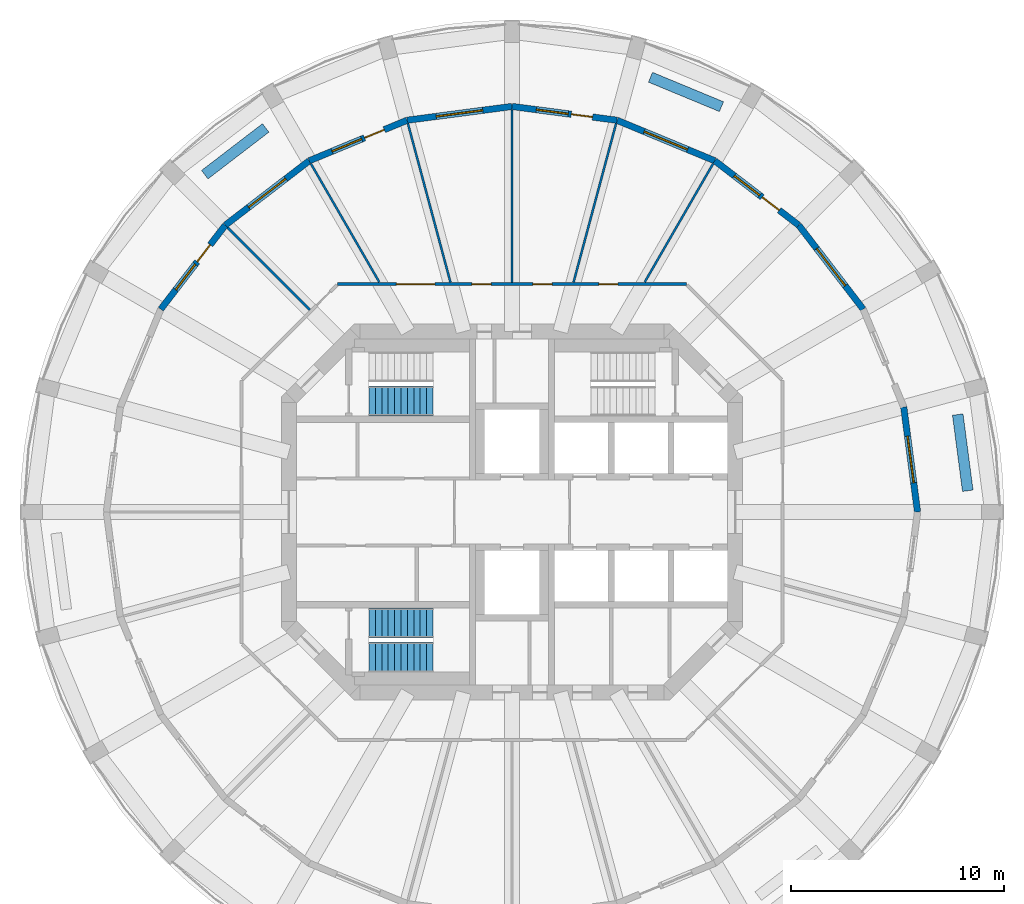
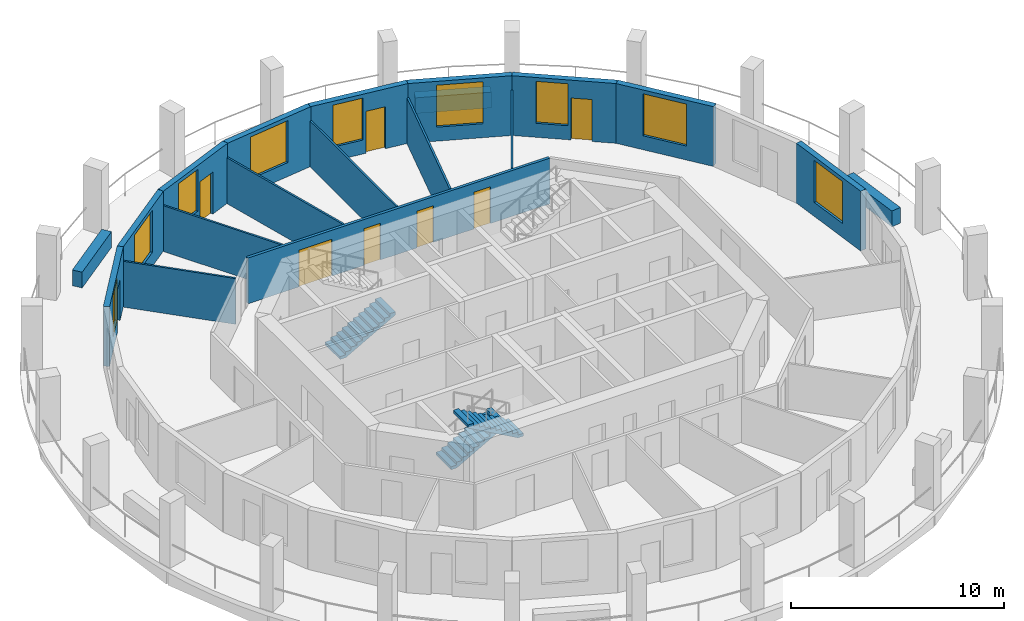
# One storey, part 6 of 9: 19 walls, 9 windows, 8 doors, 3 stair flights, 17 openings, 2 elements without a shape of their own.
"""IFC4 building model written with IfcOpenShell, lengths in metres."""

from ifc_helpers import new_model, si_unit, direction, frame, frame_2d, origin, place, context, subcontext, project, spatial, polyline, rectangle, outline, extrude, material, layer, layer_set, type_object, element, fill, aggregate, save


model = new_model("IFC4")

# Units and contexts
model_context = context("Model", 3, precision=1e-05, world=origin(), true_north=direction((0.0, 1.0)))
body_context = subcontext(model_context, "Body", "Model", "MODEL_VIEW")
ifc_project = project(units=[si_unit("LENGTHUNIT", "METRE"), si_unit("AREAUNIT", "SQUARE_METRE"), si_unit("VOLUMEUNIT", "CUBIC_METRE"), si_unit("PLANEANGLEUNIT", "RADIAN"), si_unit("MASSUNIT", "GRAM", prefix="KILO")], contexts=[model_context])

# Site, building, storey
site_placement = place(None, origin())
site = spatial("IfcSite", under=ifc_project, at=site_placement, CompositionType="ELEMENT")
building_placement = place(site_placement, origin())
building = spatial("IfcBuilding", under=site, at=building_placement, Name="Torre Triforio", CompositionType="ELEMENT")
storey_placement = place(building_placement, frame((0.0, 0.0, 176.39990234375)))
storey = spatial("IfcBuildingStorey", under=building, at=storey_placement, Name="L40", CompositionType="ELEMENT", Elevation=176.39990234375)

# Wall, openings, doors
ifc_material_1 = material(Name="Plasterboard on metal studs")
ifc_layer_1 = layer(ifc_material_1, 0.14990234375)
ifc_layer_set_1 = layer_set([ifc_layer_1], Name="Plasterboard on metal studs")
wall_type_1 = type_object("IfcWallType", Name="Corridor and tenancy wall 150 mm EI 60", PredefinedType="PARTITIONING", material=ifc_layer_set_1)
wall_1_placement = place(storey_placement, frame((-8.16650390625, 10.675048828125, 0.0), z_axis=(0.0, 0.0, 1.0), x_axis=(1.0, 0.0, 0.0)))
wall_1 = element("IfcWall", 1, at=wall_1_placement, inside=storey, type_object=wall_type_1, Name="Partition 6", PredefinedType="PARTITIONING", context=body_context, shape_type="SweptSolid", body=[
    extrude(rectangle(XDim=16.3330078125, YDim=0.14990234375, at=frame_2d((8.16650390625, 0.0))), origin(), (0.0, 0.0, 1.0), 2.6201171875),
])
opening_1_placement = place(wall_1_placement, frame((12.232421875, 0.0, 0.0)))
opening_1 = element("IfcOpeningElement", 2, at=opening_1_placement, cuts=wall_1, Name="Opening O3-11", PredefinedType="OPENING", context=body_context, shape_type="SweptSolid", body=[
    extrude(rectangle(XDim=0.89990234375, YDim=2.10009765625, at=frame_2d((0.449951171875, 1.050048828125))), frame((0.0, 0.0849609375, 0.0), z_axis=(0.0, -1.0, 0.0), x_axis=(1.0, 0.0, 0.0)), (0.0, 0.0, 1.0), 0.169921875),
])
opening_2_placement = place(wall_1_placement, frame((9.147705078125, 0.0, 0.0)))
opening_2 = element("IfcOpeningElement", 3, at=opening_2_placement, cuts=wall_1, Name="Opening O3-12", PredefinedType="OPENING", context=body_context, shape_type="SweptSolid", body=[
    extrude(rectangle(XDim=0.89990234375, YDim=2.10009765625, at=frame_2d((0.449951171875, 1.050048828125))), frame((0.0, 0.0849609375, 0.0), z_axis=(0.0, -1.0, 0.0), x_axis=(1.0, 0.0, 0.0)), (0.0, 0.0, 1.0), 0.169921875),
])
opening_3_placement = place(wall_1_placement, frame((6.285400390625, 0.0, 0.0)))
opening_3 = element("IfcOpeningElement", 4, at=opening_3_placement, cuts=wall_1, Name="Opening O3-13", PredefinedType="OPENING", context=body_context, shape_type="SweptSolid", body=[
    extrude(rectangle(XDim=0.89990234375, YDim=2.10009765625, at=frame_2d((0.449951171875, 1.050048828125))), frame((0.0, 0.0849609375, 0.0), z_axis=(0.0, -1.0, 0.0), x_axis=(1.0, 0.0, 0.0)), (0.0, 0.0, 1.0), 0.169921875),
])
opening_4_placement = place(wall_1_placement, frame((2.7509765625, 0.0, 0.0)))
opening_4 = element("IfcOpeningElement", 5, at=opening_4_placement, cuts=wall_1, Name="Opening O3-14", PredefinedType="OPENING", context=body_context, shape_type="SweptSolid", body=[
    extrude(rectangle(XDim=1.800048828125, YDim=2.10009765625, at=frame_2d((0.89990234375, 1.050048828125))), frame((0.0, 0.0849609375, 0.0), z_axis=(0.0, -1.0, 0.0), x_axis=(1.0, 0.0, 0.0)), (0.0, 0.0, 1.0), 0.169921875),
])
ifc_material_2 = material(Name="Timber", Category="wood")
door_type_1 = type_object("IfcDoorType", Name="Door 1800 x 2100 double leaf EI 30", OperationType="DOUBLE_DOOR_SINGLE_SWING", PredefinedType="DOOR", material=ifc_material_2)
door_1_placement = place(opening_4_placement, origin())
door_1 = element("IfcDoor", 6, at=door_1_placement, inside=storey, type_object=door_type_1, Name="Door O3-14", OperationType="DOUBLE_DOOR_SINGLE_SWING", OverallHeight=2.10009765625, OverallWidth=1.800048828125, PredefinedType="DOOR", context=body_context, shape_type="SweptSolid", body=[
    extrude(rectangle(XDim=1.800048828125, YDim=2.10009765625, at=frame_2d((0.89990234375, 1.050048828125))), frame((0.0, 0.02490234375, 0.0), z_axis=(0.0, -1.0, 0.0), x_axis=(1.0, 0.0, 0.0)), (0.0, 0.0, 1.0), 0.050048828125),
])
fill(opening_4, door_1)
door_type_2 = type_object("IfcDoorType", Name="Door 900 x 2100 single leaf EI 30", OperationType="NOTDEFINED", PredefinedType="DOOR", material=ifc_material_2)
door_2_placement = place(opening_1_placement, origin())
door_2 = element("IfcDoor", 7, at=door_2_placement, inside=storey, type_object=door_type_2, Name="Door O3-11", OperationType="SINGLE_SWING_LEFT", OverallHeight=2.10009765625, OverallWidth=0.89990234375, PredefinedType="DOOR", context=body_context, shape_type="SweptSolid", body=[
    extrude(rectangle(XDim=0.89990234375, YDim=2.10009765625, at=frame_2d((0.449951171875, 1.050048828125))), frame((0.0, 0.02490234375, 0.0), z_axis=(0.0, -1.0, 0.0), x_axis=(1.0, 0.0, 0.0)), (0.0, 0.0, 1.0), 0.050048828125),
])
fill(opening_1, door_2)
door_3_placement = place(opening_2_placement, origin())
door_3 = element("IfcDoor", 8, at=door_3_placement, inside=storey, type_object=door_type_2, Name="Door O3-12", OperationType="SINGLE_SWING_LEFT", OverallHeight=2.10009765625, OverallWidth=0.89990234375, PredefinedType="DOOR", context=body_context, shape_type="SweptSolid", body=[
    extrude(rectangle(XDim=0.89990234375, YDim=2.10009765625, at=frame_2d((0.449951171875, 1.050048828125))), frame((0.0, 0.02490234375, 0.0), z_axis=(0.0, -1.0, 0.0), x_axis=(1.0, 0.0, 0.0)), (0.0, 0.0, 1.0), 0.050048828125),
])
fill(opening_2, door_3)
door_4_placement = place(opening_3_placement, origin())
door_4 = element("IfcDoor", 9, at=door_4_placement, inside=storey, type_object=door_type_2, Name="Door O3-13", OperationType="SINGLE_SWING_RIGHT", OverallHeight=2.10009765625, OverallWidth=0.89990234375, PredefinedType="DOOR", context=body_context, shape_type="SweptSolid", body=[
    extrude(rectangle(XDim=0.89990234375, YDim=2.10009765625, at=frame_2d((0.449951171875, 1.050048828125))), frame((0.0, 0.02490234375, 0.0), z_axis=(0.0, -1.0, 0.0), x_axis=(1.0, 0.0, 0.0)), (0.0, 0.0, 1.0), 0.050048828125),
])
fill(opening_3, door_4)

# Walls
ifc_layer_2 = layer(ifc_material_1, 0.10009765625)
ifc_layer_set_2 = layer_set([ifc_layer_2], Name="Plasterboard on metal studs")
wall_type_2 = type_object("IfcWallType", Name="Partition 100 mm board on metal studs", PredefinedType="PARTITIONING", material=ifc_layer_set_2)
wall_2_placement = place(storey_placement, frame((6.220703125, 10.774658203125, 0.0), z_axis=(0.0, 0.0, 1.0), x_axis=(0.500023166934, 0.866012027936, 0.0)))
element("IfcWall", 10, at=wall_2_placement, inside=storey, type_object=wall_type_2, Name="Partition 9", PredefinedType="PARTITIONING", context=body_context, shape_type="SweptSolid", body=[
    extrude(rectangle(XDim=6.395263671875, YDim=0.10009765625, at=frame_2d((3.19775390625, 0.0))), origin(), (0.0, 0.0, 1.0), 2.6201171875),
])
wall_3_placement = place(storey_placement, frame((2.88427734375, 10.764404296875, 0.0), z_axis=(0.0, 0.0, 1.0), x_axis=(0.25881804804, 0.965926093451, 0.0)))
element("IfcWall", 11, at=wall_3_placement, inside=storey, type_object=wall_type_2, Name="Partition 10", PredefinedType="PARTITIONING", context=body_context, shape_type="SweptSolid", body=[
    extrude(rectangle(XDim=7.692626953125, YDim=0.10009765625, at=frame_2d((3.84619140625, 0.0))), origin(), (0.0, 0.0, 1.0), 2.6201171875),
])
wall_4_placement = place(storey_placement, frame((0.0, 10.75, 0.0), z_axis=(0.0, 0.0, 1.0), x_axis=(0.0, 1.0, 0.0)))
element("IfcWall", 12, at=wall_4_placement, inside=storey, type_object=wall_type_2, Name="Partition 11", PredefinedType="PARTITIONING", context=body_context, shape_type="SweptSolid", body=[
    extrude(rectangle(XDim=8.086669921875, YDim=0.10009765625, at=frame_2d((4.04345703125, 0.0))), origin(), (0.0, 0.0, 1.0), 2.6201171875),
])
wall_5_placement = place(storey_placement, frame((-2.88427734375, 10.764404296875, 0.0), z_axis=(0.0, 0.0, 1.0), x_axis=(-0.25881804804, 0.965926093451, 0.0)))
element("IfcWall", 13, at=wall_5_placement, inside=storey, type_object=wall_type_2, Name="Partition 12", PredefinedType="PARTITIONING", context=body_context, shape_type="SweptSolid", body=[
    extrude(rectangle(XDim=7.692626953125, YDim=0.10009765625, at=frame_2d((3.84619140625, 0.0))), origin(), (0.0, 0.0, 1.0), 2.6201171875),
])
wall_6_placement = place(storey_placement, frame((-6.220703125, 10.774658203125, 0.0), z_axis=(0.0, 0.0, 1.0), x_axis=(-0.500023166934, 0.866012027936, 0.0)))
element("IfcWall", 14, at=wall_6_placement, inside=storey, type_object=wall_type_2, Name="Partition 13", PredefinedType="PARTITIONING", context=body_context, shape_type="SweptSolid", body=[
    extrude(rectangle(XDim=6.395263671875, YDim=0.10009765625, at=frame_2d((3.19775390625, 0.0))), origin(), (0.0, 0.0, 1.0), 2.6201171875),
])
wall_7_placement = place(storey_placement, frame((-9.473876953125, 9.473876953125, 0.0), z_axis=(0.0, 0.0, 1.0), x_axis=(-0.707106781187, 0.707106781187, 0.0)))
element("IfcWall", 15, at=wall_7_placement, inside=storey, type_object=wall_type_2, Name="Partition 14", PredefinedType="PARTITIONING", context=body_context, shape_type="SweptSolid", body=[
    extrude(rectangle(XDim=5.438720703125, YDim=0.10009765625, at=frame_2d((2.71923828125, 0.0))), origin(), (0.0, 0.0, 1.0), 2.6201171875),
])
ifc_material_3 = material(Name="Limestone cladding", Category="masonry")
ifc_layer_3 = layer(ifc_material_3, 0.10009765625)
ifc_material_4 = material(Name="Concrete C40", Category="concrete")
ifc_layer_4 = layer(ifc_material_4, 0.39990234375)
ifc_layer_set_3 = layer_set([ifc_layer_3, ifc_layer_4], Name="Limestone cladding / Concrete C40")
wall_type_3 = type_object("IfcWallType", Name="Planter wall 500", PredefinedType="PARAPET", material=ifc_layer_set_3)
for number, where, z_axis, x_axis, name in (
    (16, (21.352783203125, 0.99560546875, 0.0), (0.0, 0.0, 1.0), (-0.130551000099, 0.991441595039, 0.0), "Planter L40 bay 01"),
    (17, (9.814208984375, 18.98974609375, 0.0), (0.0, 0.0, 1.0), (-0.923875488976, 0.382693194178, 0.0), "Planter L40 bay 05"),
):
    element("IfcWall", number, at=place(storey_placement, frame(where, z_axis=z_axis, x_axis=x_axis)), inside=storey, type_object=wall_type_3, Name=name, PredefinedType="PARAPET", context=body_context, shape_type="SweptSolid", body=[
        extrude(rectangle(XDim=3.599853515625, YDim=0.5, at=frame_2d((1.7998046875, 0.0))), origin(), (0.0, 0.0, 1.0), 0.900146484375),
    ])
wall_8_placement = place(storey_placement, frame((-11.53857421875, 17.994140625, 0.0), z_axis=(0.0, 0.0, 1.0), x_axis=(-0.793384730612, -0.608720518162, 0.0)))
element("IfcWall", 18, at=wall_8_placement, inside=storey, type_object=wall_type_3, Name="Planter L40 bay 09", PredefinedType="PARAPET", context=body_context, shape_type="SweptSolid", body=[
    extrude(rectangle(XDim=3.60009765625, YDim=0.5, at=frame_2d((1.800048828125, 0.0))), origin(), (0.0, 0.0, 1.0), 0.900146484375),
])

# Wall, opening, window
ifc_layer_5 = layer(ifc_material_3, 0.10009765625)
ifc_layer_6 = layer(ifc_material_4, 0.199951171875)
ifc_layer_set_4 = layer_set([ifc_layer_5, ifc_layer_6], Name="Limestone cladding / Concrete C40")
wall_type_4 = type_object("IfcWallType", Name="Stone-faced composite wall 300", PredefinedType="STANDARD", material=ifc_layer_set_4)
wall_9_placement = place(storey_placement, frame((19.0, 0.0, 0.0), z_axis=(0.0, 0.0, 1.0), x_axis=(-0.130538549191, 0.991443234469, 0.0)))
wall_9 = element("IfcWall", 19, at=wall_9_placement, inside=storey, type_object=wall_type_4, Name="External wall L40 bay 01", PredefinedType="STANDARD", context=body_context, shape_type="SweptSolid", body=[
    extrude(rectangle(XDim=4.9599609375, YDim=0.300048828125, at=frame_2d((2.47998046875, 0.0))), origin(), (0.0, 0.0, 1.0), 3.420166015625),
])
opening_5_placement = place(wall_9_placement, frame((1.3798828125, 0.0, 0.800048828125)))
opening_5 = element("IfcOpeningElement", 20, at=opening_5_placement, cuts=wall_9, Name="Opening O3-W01", PredefinedType="OPENING", context=body_context, shape_type="SweptSolid", body=[
    extrude(rectangle(XDim=2.199951171875, YDim=2.39990234375, at=frame_2d((1.10009765625, 1.199951171875))), frame((0.0, 0.159912109375, 0.0), z_axis=(0.0, -1.0, 0.0), x_axis=(1.0, 0.0, 0.0)), (0.0, 0.0, 1.0), 0.320068359375),
])
ifc_material_5 = material(Name="Aluminium frame with clear double glazing", Category="aluminium")
window_type_1 = type_object("IfcWindowType", Name="Punched window 2200 x 2400", PartitioningType="DOUBLE_PANEL_VERTICAL", PredefinedType="WINDOW", material=ifc_material_5)
window_1_placement = place(opening_5_placement, origin())
window_1 = element("IfcWindow", 21, at=window_1_placement, inside=storey, type_object=window_type_1, Name="Window EWN5 L40 bay 01", OverallHeight=2.39990234375, OverallWidth=2.199951171875, PartitioningType="SINGLE_PANEL", PredefinedType="WINDOW", context=body_context, shape_type="SweptSolid", body=[
    extrude(rectangle(XDim=2.199951171875, YDim=2.39990234375, at=frame_2d((1.10009765625, 1.199951171875))), frame((0.0, 0.030029296875, 0.0), z_axis=(0.0, -1.0, 0.0), x_axis=(1.0, 0.0, 0.0)), (0.0, 0.0, 1.0), 0.06005859375),
])
fill(opening_5, window_1)

wall_10_placement = place(storey_placement, frame((16.45458984375, 9.5, 0.0), z_axis=(0.0, 0.0, 1.0), x_axis=(-0.608768356425, 0.793348024649, 0.0)))
wall_10 = element("IfcWall", 22, at=wall_10_placement, inside=storey, type_object=wall_type_4, Name="External wall L40 bay 03", PredefinedType="STANDARD", context=body_context, shape_type="SweptSolid", body=[
    extrude(rectangle(XDim=4.9599609375, YDim=0.300048828125, at=frame_2d((2.47998046875, 0.0))), origin(), (0.0, 0.0, 1.0), 3.420166015625),
])
opening_6_placement = place(wall_10_placement, frame((1.3798828125, 0.0, 0.800048828125)))
opening_6 = element("IfcOpeningElement", 23, at=opening_6_placement, cuts=wall_10, Name="Opening O3-W03", PredefinedType="OPENING", context=body_context, shape_type="SweptSolid", body=[
    extrude(rectangle(XDim=2.199951171875, YDim=2.39990234375, at=frame_2d((1.10009765625, 1.199951171875))), frame((0.0, 0.159912109375, 0.0), z_axis=(0.0, -1.0, 0.0), x_axis=(1.0, 0.0, 0.0)), (0.0, 0.0, 1.0), 0.320068359375),
])
window_2_placement = place(opening_6_placement, origin())
window_2 = element("IfcWindow", 24, at=window_2_placement, inside=storey, type_object=window_type_1, Name="Window EWN5 L40 bay 03", OverallHeight=2.39990234375, OverallWidth=2.199951171875, PartitioningType="SINGLE_PANEL", PredefinedType="WINDOW", context=body_context, shape_type="SweptSolid", body=[
    extrude(rectangle(XDim=2.199951171875, YDim=2.39990234375, at=frame_2d((1.10009765625, 1.199951171875))), frame((0.0, 0.030029296875, 0.0), z_axis=(0.0, -1.0, 0.0), x_axis=(1.0, 0.0, 0.0)), (0.0, 0.0, 1.0), 0.06005859375),
])
fill(opening_6, window_2)

# Wall, openings, door, window
wall_11_placement = place(storey_placement, frame((13.43505859375, 13.43505859375, 0.0), z_axis=(0.0, 0.0, 1.0), x_axis=(-0.793348024649, 0.608768356425, 0.0)))
wall_11 = element("IfcWall", 25, at=wall_11_placement, inside=storey, type_object=wall_type_4, Name="External wall L40 bay 04", PredefinedType="STANDARD", context=body_context, shape_type="SweptSolid", body=[
    extrude(rectangle(XDim=4.9599609375, YDim=0.300048828125, at=frame_2d((2.47998046875, 0.0))), origin(), (0.0, 0.0, 1.0), 3.420166015625),
])
opening_7_placement = place(wall_11_placement, frame((1.155029296875, 0.0, 0.0)))
opening_7 = element("IfcOpeningElement", 26, at=opening_7_placement, cuts=wall_11, Name="Opening O3-D04", PredefinedType="OPENING", context=body_context, shape_type="SweptSolid", body=[
    extrude(rectangle(XDim=1.0, YDim=2.39990234375, at=frame_2d((0.5, 1.199951171875))), frame((0.0, 0.159912109375, 0.0), z_axis=(0.0, -1.0, 0.0), x_axis=(1.0, 0.0, 0.0)), (0.0, 0.0, 1.0), 0.320068359375),
])
opening_8_placement = place(wall_11_placement, frame((2.304931640625, 0.0, 0.800048828125)))
opening_8 = element("IfcOpeningElement", 27, at=opening_8_placement, cuts=wall_11, Name="Opening O3-W04A", PredefinedType="OPENING", context=body_context, shape_type="SweptSolid", body=[
    extrude(rectangle(XDim=1.5, YDim=2.39990234375, at=frame_2d((0.75, 1.199951171875))), frame((0.0, 0.159912109375, 0.0), z_axis=(0.0, -1.0, 0.0), x_axis=(1.0, 0.0, 0.0)), (0.0, 0.0, 1.0), 0.320068359375),
])
door_type_3 = type_object("IfcDoorType", Name="Loggia door 1000 x 2400", OperationType="NOTDEFINED", PredefinedType="DOOR", material=ifc_material_5)
door_5_placement = place(opening_7_placement, origin())
door_5 = element("IfcDoor", 28, at=door_5_placement, inside=storey, type_object=door_type_3, Name="Loggia door L40 bay 04", OperationType="SINGLE_SWING_LEFT", OverallHeight=2.39990234375, OverallWidth=1.0, PredefinedType="DOOR", context=body_context, shape_type="SweptSolid", body=[
    extrude(rectangle(XDim=1.0, YDim=2.39990234375, at=frame_2d((0.5, 1.199951171875))), frame((0.0, 0.02490234375, 0.0), z_axis=(0.0, -1.0, 0.0), x_axis=(1.0, 0.0, 0.0)), (0.0, 0.0, 1.0), 0.050048828125),
])
fill(opening_7, door_5)
window_type_2 = type_object("IfcWindowType", Name="Side window 1500 x 2400", PartitioningType="SINGLE_PANEL", PredefinedType="WINDOW", material=ifc_material_5)
window_3_placement = place(opening_8_placement, origin())
window_3 = element("IfcWindow", 29, at=window_3_placement, inside=storey, type_object=window_type_2, Name="Side window EWN14 L40 bay 04", OverallHeight=2.39990234375, OverallWidth=1.5, PartitioningType="SINGLE_PANEL", PredefinedType="WINDOW", context=body_context, shape_type="SweptSolid", body=[
    extrude(rectangle(XDim=1.5, YDim=2.39990234375, at=frame_2d((0.75, 1.199951171875))), frame((0.0, 0.030029296875, 0.0), z_axis=(0.0, -1.0, 0.0), x_axis=(1.0, 0.0, 0.0)), (0.0, 0.0, 1.0), 0.06005859375),
])
fill(opening_8, window_3)

# Wall, opening, window
wall_12_placement = place(storey_placement, frame((9.5, 16.45458984375, 0.0), z_axis=(0.0, 0.0, 1.0), x_axis=(-0.923893254961, 0.382650301762, 0.0)))
wall_12 = element("IfcWall", 30, at=wall_12_placement, inside=storey, type_object=wall_type_4, Name="External wall L40 bay 05", PredefinedType="STANDARD", context=body_context, shape_type="SweptSolid", body=[
    extrude(rectangle(XDim=4.9599609375, YDim=0.300048828125, at=frame_2d((2.47998046875, 0.0))), origin(), (0.0, 0.0, 1.0), 3.420166015625),
])
opening_9_placement = place(wall_12_placement, frame((1.3798828125, 0.0, 0.800048828125)))
opening_9 = element("IfcOpeningElement", 31, at=opening_9_placement, cuts=wall_12, Name="Opening O3-W05", PredefinedType="OPENING", context=body_context, shape_type="SweptSolid", body=[
    extrude(rectangle(XDim=2.199951171875, YDim=2.39990234375, at=frame_2d((1.10009765625, 1.199951171875))), frame((0.0, 0.159912109375, 0.0), z_axis=(0.0, -1.0, 0.0), x_axis=(1.0, 0.0, 0.0)), (0.0, 0.0, 1.0), 0.320068359375),
])
window_4_placement = place(opening_9_placement, origin())
window_4 = element("IfcWindow", 32, at=window_4_placement, inside=storey, type_object=window_type_1, Name="Window EWN5 L40 bay 05", OverallHeight=2.39990234375, OverallWidth=2.199951171875, PartitioningType="SINGLE_PANEL", PredefinedType="WINDOW", context=body_context, shape_type="SweptSolid", body=[
    extrude(rectangle(XDim=2.199951171875, YDim=2.39990234375, at=frame_2d((1.10009765625, 1.199951171875))), frame((0.0, 0.030029296875, 0.0), z_axis=(0.0, -1.0, 0.0), x_axis=(1.0, 0.0, 0.0)), (0.0, 0.0, 1.0), 0.06005859375),
])
fill(opening_9, window_4)

# Wall, openings, door, window
wall_13_placement = place(storey_placement, frame((4.91748046875, 18.3525390625, 0.0), z_axis=(0.0, 0.0, 1.0), x_axis=(-0.991443234469, 0.130538549191, 0.0)))
wall_13 = element("IfcWall", 33, at=wall_13_placement, inside=storey, type_object=wall_type_4, Name="External wall L40 bay 06", PredefinedType="STANDARD", context=body_context, shape_type="SweptSolid", body=[
    extrude(rectangle(XDim=4.9599609375, YDim=0.300048828125, at=frame_2d((2.47998046875, 0.0))), origin(), (0.0, 0.0, 1.0), 3.420166015625),
])
opening_10_placement = place(wall_13_placement, frame((1.155029296875, 0.0, 0.0)))
opening_10 = element("IfcOpeningElement", 34, at=opening_10_placement, cuts=wall_13, Name="Opening O3-D06", PredefinedType="OPENING", context=body_context, shape_type="SweptSolid", body=[
    extrude(rectangle(XDim=1.0, YDim=2.39990234375, at=frame_2d((0.5, 1.199951171875))), frame((0.0, 0.159912109375, 0.0), z_axis=(0.0, -1.0, 0.0), x_axis=(1.0, 0.0, 0.0)), (0.0, 0.0, 1.0), 0.320068359375),
])
opening_11_placement = place(wall_13_placement, frame((2.304931640625, 0.0, 0.800048828125)))
opening_11 = element("IfcOpeningElement", 35, at=opening_11_placement, cuts=wall_13, Name="Opening O3-W06A", PredefinedType="OPENING", context=body_context, shape_type="SweptSolid", body=[
    extrude(rectangle(XDim=1.5, YDim=2.39990234375, at=frame_2d((0.75, 1.199951171875))), frame((0.0, 0.159912109375, 0.0), z_axis=(0.0, -1.0, 0.0), x_axis=(1.0, 0.0, 0.0)), (0.0, 0.0, 1.0), 0.320068359375),
])
door_6_placement = place(opening_10_placement, origin())
door_6 = element("IfcDoor", 36, at=door_6_placement, inside=storey, type_object=door_type_3, Name="Loggia door L40 bay 06", OperationType="SINGLE_SWING_LEFT", OverallHeight=2.39990234375, OverallWidth=1.0, PredefinedType="DOOR", context=body_context, shape_type="SweptSolid", body=[
    extrude(rectangle(XDim=1.0, YDim=2.39990234375, at=frame_2d((0.5, 1.199951171875))), frame((0.0, 0.02490234375, 0.0), z_axis=(0.0, -1.0, 0.0), x_axis=(1.0, 0.0, 0.0)), (0.0, 0.0, 1.0), 0.050048828125),
])
fill(opening_10, door_6)
window_5_placement = place(opening_11_placement, origin())
window_5 = element("IfcWindow", 37, at=window_5_placement, inside=storey, type_object=window_type_2, Name="Side window EWN14 L40 bay 06", OverallHeight=2.39990234375, OverallWidth=1.5, PartitioningType="SINGLE_PANEL", PredefinedType="WINDOW", context=body_context, shape_type="SweptSolid", body=[
    extrude(rectangle(XDim=1.5, YDim=2.39990234375, at=frame_2d((0.75, 1.199951171875))), frame((0.0, 0.030029296875, 0.0), z_axis=(0.0, -1.0, 0.0), x_axis=(1.0, 0.0, 0.0)), (0.0, 0.0, 1.0), 0.06005859375),
])
fill(opening_11, window_5)

# Wall, opening, window
wall_14_placement = place(storey_placement, frame((0.0, 19.0, 0.0), z_axis=(0.0, 0.0, 1.0), x_axis=(-0.991443234469, -0.130538549191, 0.0)))
wall_14 = element("IfcWall", 38, at=wall_14_placement, inside=storey, type_object=wall_type_4, Name="External wall L40 bay 07", PredefinedType="STANDARD", context=body_context, shape_type="SweptSolid", body=[
    extrude(rectangle(XDim=4.9599609375, YDim=0.300048828125, at=frame_2d((2.47998046875, 0.0))), origin(), (0.0, 0.0, 1.0), 3.420166015625),
])
opening_12_placement = place(wall_14_placement, frame((1.3798828125, 0.0, 0.800048828125)))
opening_12 = element("IfcOpeningElement", 39, at=opening_12_placement, cuts=wall_14, Name="Opening O3-W07", PredefinedType="OPENING", context=body_context, shape_type="SweptSolid", body=[
    extrude(rectangle(XDim=2.199951171875, YDim=2.39990234375, at=frame_2d((1.10009765625, 1.199951171875))), frame((0.0, 0.159912109375, 0.0), z_axis=(0.0, -1.0, 0.0), x_axis=(1.0, 0.0, 0.0)), (0.0, 0.0, 1.0), 0.320068359375),
])
window_6_placement = place(opening_12_placement, origin())
window_6 = element("IfcWindow", 40, at=window_6_placement, inside=storey, type_object=window_type_1, Name="Window EWN5 L40 bay 07", OverallHeight=2.39990234375, OverallWidth=2.199951171875, PartitioningType="SINGLE_PANEL", PredefinedType="WINDOW", context=body_context, shape_type="SweptSolid", body=[
    extrude(rectangle(XDim=2.199951171875, YDim=2.39990234375, at=frame_2d((1.10009765625, 1.199951171875))), frame((0.0, 0.030029296875, 0.0), z_axis=(0.0, -1.0, 0.0), x_axis=(1.0, 0.0, 0.0)), (0.0, 0.0, 1.0), 0.06005859375),
])
fill(opening_12, window_6)

# Wall, openings, door, window
wall_15_placement = place(storey_placement, frame((-4.91748046875, 18.3525390625, 0.0), z_axis=(0.0, 0.0, 1.0), x_axis=(-0.923893254961, -0.382650301762, 0.0)))
wall_15 = element("IfcWall", 41, at=wall_15_placement, inside=storey, type_object=wall_type_4, Name="External wall L40 bay 08", PredefinedType="STANDARD", context=body_context, shape_type="SweptSolid", body=[
    extrude(rectangle(XDim=4.9599609375, YDim=0.300048828125, at=frame_2d((2.47998046875, 0.0))), origin(), (0.0, 0.0, 1.0), 3.420166015625),
])
opening_13_placement = place(wall_15_placement, frame((1.155029296875, 0.0, 0.0)))
opening_13 = element("IfcOpeningElement", 42, at=opening_13_placement, cuts=wall_15, Name="Opening O3-D08", PredefinedType="OPENING", context=body_context, shape_type="SweptSolid", body=[
    extrude(rectangle(XDim=1.0, YDim=2.39990234375, at=frame_2d((0.5, 1.199951171875))), frame((0.0, 0.159912109375, 0.0), z_axis=(0.0, -1.0, 0.0), x_axis=(1.0, 0.0, 0.0)), (0.0, 0.0, 1.0), 0.320068359375),
])
opening_14_placement = place(wall_15_placement, frame((2.304931640625, 0.0, 0.800048828125)))
opening_14 = element("IfcOpeningElement", 43, at=opening_14_placement, cuts=wall_15, Name="Opening O3-W08A", PredefinedType="OPENING", context=body_context, shape_type="SweptSolid", body=[
    extrude(rectangle(XDim=1.5, YDim=2.39990234375, at=frame_2d((0.75, 1.199951171875))), frame((0.0, 0.159912109375, 0.0), z_axis=(0.0, -1.0, 0.0), x_axis=(1.0, 0.0, 0.0)), (0.0, 0.0, 1.0), 0.320068359375),
])
door_7_placement = place(opening_13_placement, origin())
door_7 = element("IfcDoor", 44, at=door_7_placement, inside=storey, type_object=door_type_3, Name="Loggia door L40 bay 08", OperationType="SINGLE_SWING_LEFT", OverallHeight=2.39990234375, OverallWidth=1.0, PredefinedType="DOOR", context=body_context, shape_type="SweptSolid", body=[
    extrude(rectangle(XDim=1.0, YDim=2.39990234375, at=frame_2d((0.5, 1.199951171875))), frame((0.0, 0.02490234375, 0.0), z_axis=(0.0, -1.0, 0.0), x_axis=(1.0, 0.0, 0.0)), (0.0, 0.0, 1.0), 0.050048828125),
])
fill(opening_13, door_7)
window_7_placement = place(opening_14_placement, origin())
window_7 = element("IfcWindow", 45, at=window_7_placement, inside=storey, type_object=window_type_2, Name="Side window EWN14 L40 bay 08", OverallHeight=2.39990234375, OverallWidth=1.5, PartitioningType="SINGLE_PANEL", PredefinedType="WINDOW", context=body_context, shape_type="SweptSolid", body=[
    extrude(rectangle(XDim=1.5, YDim=2.39990234375, at=frame_2d((0.75, 1.199951171875))), frame((0.0, 0.030029296875, 0.0), z_axis=(0.0, -1.0, 0.0), x_axis=(1.0, 0.0, 0.0)), (0.0, 0.0, 1.0), 0.06005859375),
])
fill(opening_14, window_7)

# Wall, opening, window
wall_16_placement = place(storey_placement, frame((-9.5, 16.45458984375, 0.0), z_axis=(0.0, 0.0, 1.0), x_axis=(-0.793348024649, -0.608768356425, 0.0)))
wall_16 = element("IfcWall", 46, at=wall_16_placement, inside=storey, type_object=wall_type_4, Name="External wall L40 bay 09", PredefinedType="STANDARD", context=body_context, shape_type="SweptSolid", body=[
    extrude(rectangle(XDim=4.9599609375, YDim=0.300048828125, at=frame_2d((2.47998046875, 0.0))), origin(), (0.0, 0.0, 1.0), 3.420166015625),
])
opening_15_placement = place(wall_16_placement, frame((1.3798828125, 0.0, 0.800048828125)))
opening_15 = element("IfcOpeningElement", 47, at=opening_15_placement, cuts=wall_16, Name="Opening O3-W09", PredefinedType="OPENING", context=body_context, shape_type="SweptSolid", body=[
    extrude(rectangle(XDim=2.199951171875, YDim=2.39990234375, at=frame_2d((1.10009765625, 1.199951171875))), frame((0.0, 0.159912109375, 0.0), z_axis=(0.0, -1.0, 0.0), x_axis=(1.0, 0.0, 0.0)), (0.0, 0.0, 1.0), 0.320068359375),
])
window_8_placement = place(opening_15_placement, origin())
window_8 = element("IfcWindow", 48, at=window_8_placement, inside=storey, type_object=window_type_1, Name="Window EWN5 L40 bay 09", OverallHeight=2.39990234375, OverallWidth=2.199951171875, PartitioningType="SINGLE_PANEL", PredefinedType="WINDOW", context=body_context, shape_type="SweptSolid", body=[
    extrude(rectangle(XDim=2.199951171875, YDim=2.39990234375, at=frame_2d((1.10009765625, 1.199951171875))), frame((0.0, 0.030029296875, 0.0), z_axis=(0.0, -1.0, 0.0), x_axis=(1.0, 0.0, 0.0)), (0.0, 0.0, 1.0), 0.06005859375),
])
fill(opening_15, window_8)

# Wall, openings, door, window
wall_17_placement = place(storey_placement, frame((-13.43505859375, 13.43505859375, 0.0), z_axis=(0.0, 0.0, 1.0), x_axis=(-0.608768356425, -0.793348024649, 0.0)))
wall_17 = element("IfcWall", 49, at=wall_17_placement, inside=storey, type_object=wall_type_4, Name="External wall L40 bay 10", PredefinedType="STANDARD", context=body_context, shape_type="SweptSolid", body=[
    extrude(rectangle(XDim=4.9599609375, YDim=0.300048828125, at=frame_2d((2.47998046875, 0.0))), origin(), (0.0, 0.0, 1.0), 3.420166015625),
])
opening_16_placement = place(wall_17_placement, frame((1.155029296875, 0.0, 0.0)))
opening_16 = element("IfcOpeningElement", 50, at=opening_16_placement, cuts=wall_17, Name="Opening O3-D10", PredefinedType="OPENING", context=body_context, shape_type="SweptSolid", body=[
    extrude(rectangle(XDim=1.0, YDim=2.39990234375, at=frame_2d((0.5, 1.199951171875))), frame((0.0, 0.159912109375, 0.0), z_axis=(0.0, -1.0, 0.0), x_axis=(1.0, 0.0, 0.0)), (0.0, 0.0, 1.0), 0.320068359375),
])
opening_17_placement = place(wall_17_placement, frame((2.304931640625, 0.0, 0.800048828125)))
opening_17 = element("IfcOpeningElement", 51, at=opening_17_placement, cuts=wall_17, Name="Opening O3-W10A", PredefinedType="OPENING", context=body_context, shape_type="SweptSolid", body=[
    extrude(rectangle(XDim=1.5, YDim=2.39990234375, at=frame_2d((0.75, 1.199951171875))), frame((0.0, 0.159912109375, 0.0), z_axis=(0.0, -1.0, 0.0), x_axis=(1.0, 0.0, 0.0)), (0.0, 0.0, 1.0), 0.320068359375),
])
door_8_placement = place(opening_16_placement, origin())
door_8 = element("IfcDoor", 52, at=door_8_placement, inside=storey, type_object=door_type_3, Name="Loggia door L40 bay 10", OperationType="SINGLE_SWING_LEFT", OverallHeight=2.39990234375, OverallWidth=1.0, PredefinedType="DOOR", context=body_context, shape_type="SweptSolid", body=[
    extrude(rectangle(XDim=1.0, YDim=2.39990234375, at=frame_2d((0.5, 1.199951171875))), frame((0.0, 0.02490234375, 0.0), z_axis=(0.0, -1.0, 0.0), x_axis=(1.0, 0.0, 0.0)), (0.0, 0.0, 1.0), 0.050048828125),
])
fill(opening_16, door_8)
window_9_placement = place(opening_17_placement, origin())
window_9 = element("IfcWindow", 53, at=window_9_placement, inside=storey, type_object=window_type_2, Name="Side window EWN14 L40 bay 10", OverallHeight=2.39990234375, OverallWidth=1.5, PartitioningType="SINGLE_PANEL", PredefinedType="WINDOW", context=body_context, shape_type="SweptSolid", body=[
    extrude(rectangle(XDim=1.5, YDim=2.39990234375, at=frame_2d((0.75, 1.199951171875))), frame((0.0, 0.030029296875, 0.0), z_axis=(0.0, -1.0, 0.0), x_axis=(1.0, 0.0, 0.0)), (0.0, 0.0, 1.0), 0.06005859375),
])
fill(opening_17, window_9)

# Stair, stair flight
stair_type = type_object("IfcStairType", Name="STAIR HALF-TURN", PredefinedType="HALF_TURN_STAIR", material=ifc_material_4)
stair_1_placement = place(storey_placement, origin())
stair_1 = element("IfcStair", 54, at=stair_1_placement, inside=storey, type_object=stair_type, Name="Exit stair 1", PredefinedType="HALF_TURN_STAIR")
stair_flight_type = type_object("IfcStairFlightType", Name="STAIR FLIGHT 1400", PredefinedType="STRAIGHT", material=ifc_material_4)
stair_flight_1_placement = place(storey_placement, frame((-6.699951171875, 5.199951171875, 0.0), z_axis=(0.0, 0.0, 1.0), x_axis=(1.0, 0.0, 0.0)))
stair_flight_1 = element("IfcStairFlight", 55, at=stair_flight_1_placement, type_object=stair_flight_type, Name="ST1 flight 1", NumberOfRisers=11, NumberOfTreads=10, PredefinedType="STRAIGHT", RiserHeight=0.168181818, TreadLength=0.3, context=body_context, shape_type="SweptSolid", body=[
    extrude(outline(polyline([(0.0, 0.0), (0.0, 0.168212890625), (0.300048828125, 0.168212890625), (0.300048828125, 0.33642578125), (0.60009765625, 0.33642578125), (0.60009765625, 0.504638671875), (0.89990234375, 0.504638671875), (0.89990234375, 0.672607421875), (1.199951171875, 0.672607421875), (1.199951171875, 0.8408203125), (1.5, 0.8408203125), (1.5, 1.009033203125), (1.800048828125, 1.009033203125), (1.800048828125, 1.17724609375), (2.10009765625, 1.17724609375), (2.10009765625, 1.345458984375), (2.39990234375, 1.345458984375), (2.39990234375, 1.513671875), (2.699951171875, 1.513671875), (2.699951171875, 1.681884765625), (3.0, 1.681884765625), (3.0, 1.85009765625), (3.0, 1.510009765625), (0.306640625, 0.0), (0.0, 0.0)])), frame((0.0, 0.699951171875, 0.0), z_axis=(0.0, -1.0, 0.0), x_axis=(1.0, 0.0, 0.0)), (0.0, 0.0, 1.0), 1.39990234375),
])
aggregate(stair_1, [stair_flight_1])

# Stair, stair flights
stair_2_placement = place(storey_placement, origin())
stair_2 = element("IfcStair", 56, at=stair_2_placement, inside=storey, type_object=stair_type, Name="Exit stair 3", PredefinedType="HALF_TURN_STAIR")
stair_flight_2_placement = place(storey_placement, frame((-6.699951171875, -5.199951171875, 0.0), z_axis=(0.0, 0.0, 1.0), x_axis=(1.0, 0.0, 0.0)))
stair_flight_2 = element("IfcStairFlight", 57, at=stair_flight_2_placement, type_object=stair_flight_type, Name="ST3 flight 1", NumberOfRisers=11, NumberOfTreads=10, PredefinedType="STRAIGHT", RiserHeight=0.168181818, TreadLength=0.3, context=body_context, shape_type="SweptSolid", body=[
    extrude(outline(polyline([(0.0, 0.0), (0.0, 0.168212890625), (0.300048828125, 0.168212890625), (0.300048828125, 0.33642578125), (0.60009765625, 0.33642578125), (0.60009765625, 0.504638671875), (0.89990234375, 0.504638671875), (0.89990234375, 0.672607421875), (1.199951171875, 0.672607421875), (1.199951171875, 0.8408203125), (1.5, 0.8408203125), (1.5, 1.009033203125), (1.800048828125, 1.009033203125), (1.800048828125, 1.17724609375), (2.10009765625, 1.17724609375), (2.10009765625, 1.345458984375), (2.39990234375, 1.345458984375), (2.39990234375, 1.513671875), (2.699951171875, 1.513671875), (2.699951171875, 1.681884765625), (3.0, 1.681884765625), (3.0, 1.85009765625), (3.0, 1.510009765625), (0.306640625, 0.0), (0.0, 0.0)])), frame((0.0, 0.699951171875, 0.0), z_axis=(0.0, -1.0, 0.0), x_axis=(1.0, 0.0, 0.0)), (0.0, 0.0, 1.0), 1.39990234375),
])
stair_flight_3_placement = place(storey_placement, frame((-3.699951171875, -6.800048828125, 1.85009765625), z_axis=(0.0, 0.0, 1.0), x_axis=(-1.0, 0.0, 0.0)))
stair_flight_3 = element("IfcStairFlight", 58, at=stair_flight_3_placement, type_object=stair_flight_type, Name="ST3 flight 2", NumberOfRisers=11, NumberOfTreads=10, PredefinedType="STRAIGHT", RiserHeight=0.168181818, TreadLength=0.3, context=body_context, shape_type="SweptSolid", body=[
    extrude(outline(polyline([(0.0, 0.0), (0.0, 0.168212890625), (0.300048828125, 0.168212890625), (0.300048828125, 0.33642578125), (0.60009765625, 0.33642578125), (0.60009765625, 0.504638671875), (0.89990234375, 0.504638671875), (0.89990234375, 0.672607421875), (1.199951171875, 0.672607421875), (1.199951171875, 0.8408203125), (1.5, 0.8408203125), (1.5, 1.009033203125), (1.800048828125, 1.009033203125), (1.800048828125, 1.17724609375), (2.10009765625, 1.17724609375), (2.10009765625, 1.345458984375), (2.39990234375, 1.345458984375), (2.39990234375, 1.513671875), (2.699951171875, 1.513671875), (2.699951171875, 1.681884765625), (3.0, 1.681884765625), (3.0, 1.85009765625), (3.0, 1.510009765625), (0.306640625, 0.0), (0.0, 0.0)])), frame((0.0, 0.699951171875, 0.0), z_axis=(0.0, -1.0, 0.0), x_axis=(1.0, 0.0, 0.0)), (0.0, 0.0, 1.0), 1.39990234375),
])
aggregate(stair_2, [stair_flight_2, stair_flight_3])

save(model, "model.ifc")
